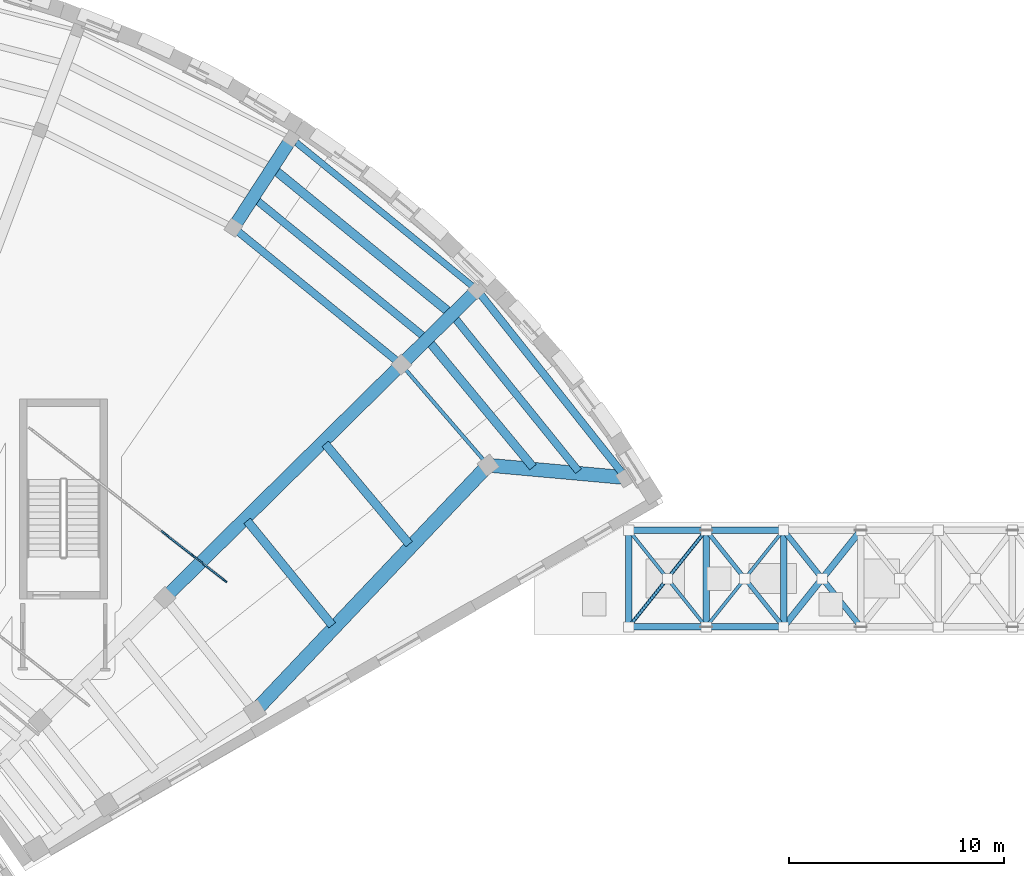
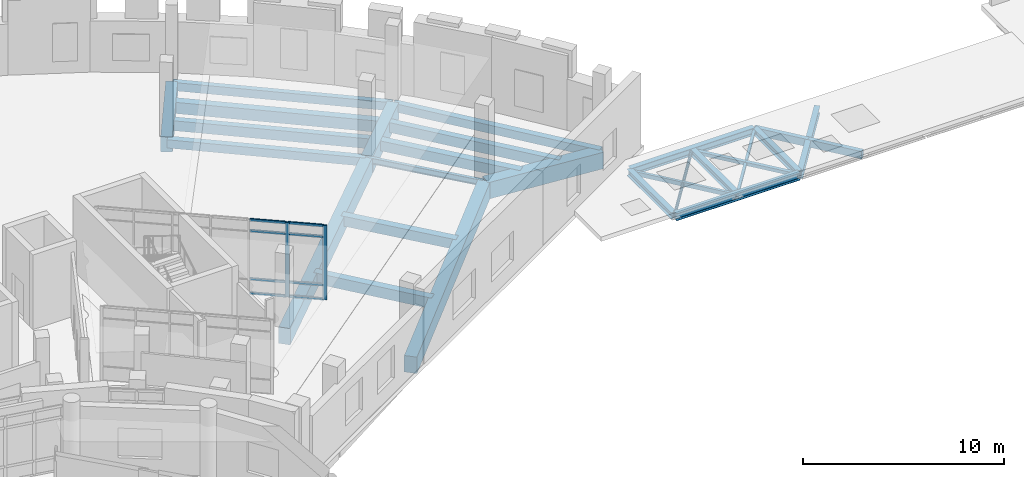
# One storey, part 20 of 49: 20 beams, 19 members, 1 element without a shape of its own.
"""IFC4 building model written with IfcOpenShell, lengths in metres."""

from ifc_helpers import new_model, si_unit, direction, frame, origin, origin_2d, place, context, subcontext, project, spatial, rectangle, hollow_rectangle, hollow_circle, i_section, extrude, material, material_profile, profile_set, type_object, element, aggregate, save


model = new_model("IFC4")

# Units and contexts
model_context = context("Model", 3, precision=1e-05, world=origin(), true_north=direction((0.0, 1.0)))
body_context = subcontext(model_context, "Body", "Model", "MODEL_VIEW")
ifc_project = project(units=[si_unit("LENGTHUNIT", "METRE"), si_unit("AREAUNIT", "SQUARE_METRE"), si_unit("VOLUMEUNIT", "CUBIC_METRE"), si_unit("PLANEANGLEUNIT", "RADIAN"), si_unit("MASSUNIT", "GRAM", prefix="KILO")], contexts=[model_context])

# Site, building, storey
site_placement = place(None, origin())
site = spatial("IfcSite", under=ifc_project, at=site_placement, CompositionType="ELEMENT")
building_placement = place(site_placement, origin())
building = spatial("IfcBuilding", under=site, at=building_placement, Name="Soyqirgoq Riverine Aquarium", CompositionType="ELEMENT")
storey_placement = place(building_placement, frame((0.0, 0.0, 15.0)))
storey = spatial("IfcBuildingStorey", under=building, at=storey_placement, Name="L04", CompositionType="ELEMENT", Elevation=15.0)

# Beams
ifc_material_1 = material(Name="Concrete C40/50", Category="concrete")
ifc_material_profile_1 = material_profile(ifc_material_1, rectangle(XDim=0.35009765625, YDim=0.60009765625, at=origin_2d()), Name="RC 350x600")
ifc_profile_set_1 = profile_set([ifc_material_profile_1], Name="Concrete C40/50")
beam_type_1 = type_object("IfcBeamType", Name="Beam_RC_350x600", PredefinedType="JOIST", material=ifc_profile_set_1)
beam_1_placement = place(storey_placement, frame((97.461181640625, 84.796142578125, -0.580078125), z_axis=(-0.628173876328, 0.778072992141, 0.0), x_axis=(-0.778072992141, -0.628173876328, 0.0)))
element("IfcBeam", 1, at=beam_1_placement, inside=storey, type_object=beam_type_1, Name="V5 L04 Secondary Floor Joist 0943", PredefinedType="JOIST", context=body_context, shape_type="SweptSolid", body=[
    extrude(rectangle(XDim=0.35009765625, YDim=0.60009765625, at=origin_2d()), origin(), (0.0, 0.0, 1.0), 9.2265625),
])
beam_2_placement = place(storey_placement, frame((90.305908203125, 91.025634765625, -0.580078125), z_axis=(-0.774940282325, 0.63203446016, 0.0), x_axis=(-0.63203446016, -0.774940282325, 0.0)))
element("IfcBeam", 2, at=beam_2_placement, inside=storey, type_object=beam_type_1, Name="V5 L04 Secondary Floor Joist 0944", PredefinedType="JOIST", context=body_context, shape_type="SweptSolid", body=[
    extrude(rectangle(XDim=0.35009765625, YDim=0.60009765625, at=origin_2d()), origin(), (0.0, 0.0, 1.0), 10.159912109375),
])
ifc_material_2 = material(Name="Concrete C40/50", Category="concrete")
ifc_material_profile_2 = material_profile(ifc_material_2, rectangle(XDim=0.39990234375, YDim=0.60009765625, at=origin_2d()), Name="RC 400x600")
ifc_profile_set_2 = profile_set([ifc_material_profile_2], Name="Concrete C40/50")
beam_type_2 = type_object("IfcBeamType", Name="Beam_RC_400x600", PredefinedType="JOIST", material=ifc_profile_set_2)
beam_3_placement = place(storey_placement, frame((89.584228515625, 81.40380859375, -0.580078125), z_axis=(-0.642269554069, 0.766478845055, 0.0), x_axis=(-0.766478845055, -0.642269554069, 0.0)))
element("IfcBeam", 3, at=beam_3_placement, inside=storey, type_object=beam_type_2, Name="V5 L04 Secondary Floor Joist 0937", PredefinedType="JOIST", context=body_context, shape_type="SweptSolid", body=[
    extrude(rectangle(XDim=0.39990234375, YDim=0.60009765625, at=origin_2d()), origin(), (0.0, 0.0, 1.0), 6.08544921875),
])
beam_4_placement = place(storey_placement, frame((95.345458984375, 84.98583984375, -0.580078125), z_axis=(-0.638020589805, 0.770019302995, 0.0), x_axis=(-0.770019302995, -0.638020589805, 0.0)))
element("IfcBeam", 4, at=beam_4_placement, inside=storey, type_object=beam_type_2, Name="V5 L04 Secondary Floor Joist 0942", PredefinedType="JOIST", context=body_context, shape_type="SweptSolid", body=[
    extrude(rectangle(XDim=0.39990234375, YDim=0.60009765625, at=origin_2d()), origin(), (0.0, 0.0, 1.0), 7.5888671875),
])
ifc_material_3 = material(Name="Concrete C40/50", Category="concrete")
ifc_material_profile_3 = material_profile(ifc_material_3, rectangle(XDim=0.39990234375, YDim=0.64990234375, at=origin_2d()), Name="RC 400x650")
ifc_profile_set_3 = profile_set([ifc_material_profile_3], Name="Concrete C40/50")
beam_type_3 = type_object("IfcBeamType", Name="Beam_RC_400x650", PredefinedType="BEAM", material=ifc_profile_set_3)
beam_5_placement = place(storey_placement, frame((86.00341796875, 77.626953125, -0.60498046875), z_axis=(-0.631614001709, 0.775283014676, 0.0), x_axis=(-0.775283014676, -0.631614001709, 0.0)))
element("IfcBeam", 5, at=beam_5_placement, inside=storey, type_object=beam_type_3, Name="V5 L04 Secondary Floor Joist 0936", PredefinedType="BEAM", context=body_context, shape_type="SweptSolid", body=[
    extrude(rectangle(XDim=0.39990234375, YDim=0.64990234375, at=origin_2d()), origin(), (0.0, 0.0, 1.0), 6.268798828125),
])
ifc_material_4 = material(Name="Concrete C40/50", Category="concrete")
ifc_material_profile_4 = material_profile(ifc_material_4, rectangle(XDim=0.419921875, YDim=0.679931640625, at=origin_2d()), Name="RC 420x680")
ifc_profile_set_4 = profile_set([ifc_material_profile_4], Name="Concrete C40/50")
beam_type_4 = type_object("IfcBeamType", Name="Beam_RC_420x680", PredefinedType="BEAM", material=ifc_profile_set_4)
beam_6_placement = place(storey_placement, frame((91.468994140625, 92.172607421875, -0.6201171875), z_axis=(-0.774945538771, 0.632028015153, 0.0), x_axis=(-0.632028015153, -0.774945538771, 0.0)))
element("IfcBeam", 6, at=beam_6_placement, inside=storey, type_object=beam_type_4, Name="V5 L04 Secondary Floor Joist 0945", PredefinedType="BEAM", context=body_context, shape_type="SweptSolid", body=[
    extrude(rectangle(XDim=0.419921875, YDim=0.679931640625, at=origin_2d()), origin(), (0.0, 0.0, 1.0), 10.5126953125),
])

# Members
ifc_material_5 = material(Name="Structural steel S355", Category="steel")
ifc_material_profile_5 = material_profile(ifc_material_5, hollow_circle(Radius=0.084228515625, WallThickness=0.008056640625, at=origin_2d()), Name="CHS 168.3x8")
ifc_profile_set_5 = profile_set([ifc_material_profile_5], Name="Structural steel S355")
member_type_1 = type_object("IfcMemberType", Name="Brace_CHS168", PredefinedType="BRACE", material=ifc_profile_set_5)
member_1_placement = place(storey_placement, frame((99.800048828125, 77.550048828125, -0.22998046875), z_axis=(0.624679547852, 0.780881208953, 0.0), x_axis=(-0.780881208953, 0.624679547852, 0.0)))
element("IfcMember", 7, at=member_1_placement, inside=storey, type_object=member_type_1, Name="BR-2 Roof Diaphragm Continuous X-Brace 0019", PredefinedType="BRACE", context=body_context, shape_type="SweptSolid", body=[
    extrude(hollow_circle(Radius=0.084228515625, WallThickness=0.008056640625, at=origin_2d()), origin(), (0.0, 0.0, 1.0), 5.7626953125),
])
ifc_material_6 = material(Name="Structural steel S355", Category="steel")
ifc_material_profile_6 = material_profile(ifc_material_6, hollow_rectangle(XDim=0.14990234375, YDim=0.25, WallThickness=0.010009765625, at=origin_2d()), Name="RHS 250x150x10")
ifc_profile_set_6 = profile_set([ifc_material_profile_6], Name="Structural steel S355")
member_type_2 = type_object("IfcMemberType", Name="Brace_RHS250x150", PredefinedType="BRACE", material=ifc_profile_set_6)
for number, where, z_axis, x_axis, name in (
    (8, (99.800048828125, 82.050048828125, -0.22998046875), (0.624705380279, -0.780860543151, 0.0), (0.780860543151, 0.624705380279, 0.0), "BR-2 Roof Diaphragm Split X-Brace 0020"),
    (9, (101.60009765625, 79.800048828125, -0.22998046875), (0.624653713374, -0.780901874994, 0.0), (0.780901874994, 0.624653713374, 0.0), "BR-2 Roof Diaphragm Split X-Brace 0021"),
):
    element("IfcMember", number, at=place(storey_placement, frame(where, z_axis=z_axis, x_axis=x_axis)), inside=storey, type_object=member_type_2, Name=name, PredefinedType="BRACE", context=body_context, shape_type="SweptSolid", body=[
        extrude(hollow_rectangle(XDim=0.14990234375, YDim=0.25, WallThickness=0.010009765625, at=origin_2d()), origin(), (0.0, 0.0, 1.0), 2.88134765625),
    ])
ifc_material_7 = material(Name="Structural steel S355", Category="steel")
ifc_material_profile_7 = material_profile(ifc_material_7, hollow_rectangle(XDim=0.14990234375, YDim=0.14990234375, WallThickness=0.010009765625, at=origin_2d()), Name="SHS 150x150x10")
ifc_profile_set_7 = profile_set([ifc_material_profile_7], Name="Structural steel S355")
member_type_3 = type_object("IfcMemberType", Name="Brace_SHS150", PredefinedType="BRACE", material=ifc_profile_set_7)
member_2_placement = place(storey_placement, frame((103.39990234375, 77.550048828125, -0.22998046875), z_axis=(0.624705380279, 0.780860543151, 0.0), x_axis=(-0.780860543151, 0.624705380279, 0.0)))
element("IfcMember", 10, at=member_2_placement, inside=storey, type_object=member_type_3, Name="BR-2 Roof Diaphragm Continuous X-Brace 0022", PredefinedType="BRACE", context=body_context, shape_type="SweptSolid", body=[
    extrude(hollow_rectangle(XDim=0.14990234375, YDim=0.14990234375, WallThickness=0.010009765625, at=origin_2d()), origin(), (0.0, 0.0, 1.0), 5.762939453125),
])
ifc_material_8 = material(Name="Structural steel S355", Category="steel")
ifc_material_profile_8 = material_profile(ifc_material_8, i_section(OverallWidth=0.300048828125, OverallDepth=0.449951171875, WebThickness=0.013916015625, FlangeThickness=0.02587890625, FilletRadius=0.027099609375, at=origin_2d()), Name="HEB 450")
ifc_profile_set_8 = profile_set([ifc_material_profile_8], Name="Structural steel S355")
member_type_4 = type_object("IfcMemberType", Name="BridgeChord_HEB450", PredefinedType="CHORD", material=ifc_profile_set_8)
member_3_placement = place(storey_placement, frame((107.0, 77.550048828125, -0.22998046875), z_axis=(0.624705380279, 0.780860543151, 0.0), x_axis=(-0.780860543151, 0.624705380279, 0.0)))
element("IfcMember", 11, at=member_3_placement, inside=storey, type_object=member_type_4, Name="BR-2 Roof Diaphragm Continuous X-Brace 0025", PredefinedType="CHORD", context=body_context, shape_type="SweptSolid", body=[
    extrude(i_section(OverallWidth=0.300048828125, OverallDepth=0.449951171875, WebThickness=0.013916015625, FlangeThickness=0.02587890625, FilletRadius=0.027099609375, at=origin_2d()), origin(), (0.0, 0.0, 1.0), 5.762939453125),
])

# Curtain wall, members
ifc_material_9 = material(Name="Cast polymethyl methacrylate PMMA Habitat Viewing Glazing", Category="glass")
curtain_wall_type = type_object("IfcCurtainWallType", Name="CW_Interior_TankVitrine", PredefinedType="NOTDEFINED", material=ifc_material_9)
curtain_wall_placement = place(storey_placement, origin())
curtain_wall = element("IfcCurtainWall", 12, at=curtain_wall_placement, inside=storey, type_object=curtain_wall_type, Name="V5 L04 Curtain Wall 164", PredefinedType="NOTDEFINED")
ifc_material_10 = material(Name="Anodised aluminium 6063-T6", Category="aluminium")
ifc_material_profile_9 = material_profile(ifc_material_10, rectangle(XDim=0.080078125, YDim=0.219970703125, at=origin_2d()), Name="ALU-M 80x220")
ifc_profile_set_9 = profile_set([ifc_material_profile_9], Name="Anodised aluminium 6063-T6")
member_type_5 = type_object("IfcMemberType", Name="CWMullion_80x220", PredefinedType="MULLION", material=ifc_profile_set_9)
member_4_placement = place(storey_placement, frame((81.008056640625, 79.702880859375, 0.0), z_axis=(0.0, 0.0, 1.0), x_axis=(-0.615655141832, -0.788015701833, 0.0)))
member_4 = element("IfcMember", 13, at=member_4_placement, type_object=member_type_5, Name="CW-07 mullion 1", PredefinedType="MULLION", context=body_context, shape_type="SweptSolid", body=[
    extrude(rectangle(XDim=0.080078125, YDim=0.219970703125, at=origin_2d()), origin(), (0.0, 0.0, 1.0), 4.52001953125),
])
member_5_placement = place(storey_placement, frame((79.524169921875, 80.862060546875, 0.0), z_axis=(0.0, 0.0, 1.0), x_axis=(-0.615655141832, -0.788015701833, 0.0)))
member_5 = element("IfcMember", 14, at=member_5_placement, type_object=member_type_5, Name="CW-07 mullion 2", PredefinedType="MULLION", context=body_context, shape_type="SweptSolid", body=[
    extrude(rectangle(XDim=0.080078125, YDim=0.219970703125, at=origin_2d()), origin(), (0.0, 0.0, 1.0), 4.52001953125),
])
ifc_material_11 = material(Name="Anodised aluminium 6063-T6", Category="aluminium")
ifc_material_profile_10 = material_profile(ifc_material_11, rectangle(XDim=0.074951171875, YDim=0.14990234375, at=origin_2d()), Name="ALU-T 75x150")
ifc_profile_set_10 = profile_set([ifc_material_profile_10], Name="Anodised aluminium 6063-T6")
member_type_6 = type_object("IfcMemberType", Name="CWTransom_75x150", PredefinedType="USERDEFINED", material=ifc_profile_set_10)
member_6_placement = place(storey_placement, frame((80.9765625, 79.7275390625, 0.03759765625), z_axis=(-0.788016162741, 0.615654551887, 0.0), x_axis=(-0.615654551887, -0.788016162741, 0.0)))
member_6 = element("IfcMember", 15, at=member_6_placement, type_object=member_type_6, Name="CW-07 transom 1.1", ObjectType="TRANSOM", PredefinedType="USERDEFINED", context=body_context, shape_type="SweptSolid", body=[
    extrude(rectangle(XDim=0.074951171875, YDim=0.14990234375, at=origin_2d()), origin(), (0.0, 0.0, 1.0), 1.80322265625),
])
member_7_placement = place(storey_placement, frame((80.9765625, 79.7275390625, 0.89990234375), z_axis=(-0.788016162741, 0.615654551887, 0.0), x_axis=(-0.615654551887, -0.788016162741, 0.0)))
member_7 = element("IfcMember", 16, at=member_7_placement, type_object=member_type_6, Name="CW-07 transom 1.2", ObjectType="TRANSOM", PredefinedType="USERDEFINED", context=body_context, shape_type="SweptSolid", body=[
    extrude(rectangle(XDim=0.074951171875, YDim=0.14990234375, at=origin_2d()), origin(), (0.0, 0.0, 1.0), 1.80322265625),
])
member_8_placement = place(storey_placement, frame((80.9765625, 79.7275390625, 3.820068359375), z_axis=(-0.788016162741, 0.615654551887, 0.0), x_axis=(-0.615654551887, -0.788016162741, 0.0)))
member_8 = element("IfcMember", 17, at=member_8_placement, type_object=member_type_6, Name="CW-07 transom 1.3", ObjectType="TRANSOM", PredefinedType="USERDEFINED", context=body_context, shape_type="SweptSolid", body=[
    extrude(rectangle(XDim=0.074951171875, YDim=0.14990234375, at=origin_2d()), origin(), (0.0, 0.0, 1.0), 1.80322265625),
])
member_9_placement = place(storey_placement, frame((80.9765625, 79.7275390625, 4.482421875), z_axis=(-0.788016162741, 0.615654551887, 0.0), x_axis=(-0.615654551887, -0.788016162741, 0.0)))
member_9 = element("IfcMember", 18, at=member_9_placement, type_object=member_type_6, Name="CW-07 transom 1.4", ObjectType="TRANSOM", PredefinedType="USERDEFINED", context=body_context, shape_type="SweptSolid", body=[
    extrude(rectangle(XDim=0.074951171875, YDim=0.14990234375, at=origin_2d()), origin(), (0.0, 0.0, 1.0), 1.80322265625),
])
member_10_placement = place(storey_placement, frame((79.492431640625, 80.88671875, 0.03759765625), z_axis=(-0.788002283226, 0.615672316765, 0.0), x_axis=(-0.615672316765, -0.788002283226, 0.0)))
member_10 = element("IfcMember", 19, at=member_10_placement, type_object=member_type_6, Name="CW-07 transom 2.1", ObjectType="TRANSOM", PredefinedType="USERDEFINED", context=body_context, shape_type="SweptSolid", body=[
    extrude(rectangle(XDim=0.074951171875, YDim=0.14990234375, at=origin_2d()), origin(), (0.0, 0.0, 1.0), 1.843017578125),
])
member_11_placement = place(storey_placement, frame((79.492431640625, 80.88671875, 0.89990234375), z_axis=(-0.788002283226, 0.615672316765, 0.0), x_axis=(-0.615672316765, -0.788002283226, 0.0)))
member_11 = element("IfcMember", 20, at=member_11_placement, type_object=member_type_6, Name="CW-07 transom 2.2", ObjectType="TRANSOM", PredefinedType="USERDEFINED", context=body_context, shape_type="SweptSolid", body=[
    extrude(rectangle(XDim=0.074951171875, YDim=0.14990234375, at=origin_2d()), origin(), (0.0, 0.0, 1.0), 1.843017578125),
])
member_12_placement = place(storey_placement, frame((79.492431640625, 80.88671875, 3.820068359375), z_axis=(-0.788002283226, 0.615672316765, 0.0), x_axis=(-0.615672316765, -0.788002283226, 0.0)))
member_12 = element("IfcMember", 21, at=member_12_placement, type_object=member_type_6, Name="CW-07 transom 2.3", ObjectType="TRANSOM", PredefinedType="USERDEFINED", context=body_context, shape_type="SweptSolid", body=[
    extrude(rectangle(XDim=0.074951171875, YDim=0.14990234375, at=origin_2d()), origin(), (0.0, 0.0, 1.0), 1.843017578125),
])
member_13_placement = place(storey_placement, frame((79.492431640625, 80.88671875, 4.482421875), z_axis=(-0.788002283226, 0.615672316765, 0.0), x_axis=(-0.615672316765, -0.788002283226, 0.0)))
member_13 = element("IfcMember", 22, at=member_13_placement, type_object=member_type_6, Name="CW-07 transom 2.4", ObjectType="TRANSOM", PredefinedType="USERDEFINED", context=body_context, shape_type="SweptSolid", body=[
    extrude(rectangle(XDim=0.074951171875, YDim=0.14990234375, at=origin_2d()), origin(), (0.0, 0.0, 1.0), 1.843017578125),
])
aggregate(curtain_wall, [member_4, member_5, member_6, member_7, member_8, member_9, member_10, member_11, member_12, member_13])

# Beams
ifc_material_12 = material(Name="Concrete C40/50", Category="concrete")
ifc_material_profile_11 = material_profile(ifc_material_12, rectangle(XDim=0.60009765625, YDim=1.0, at=origin_2d()), Name="RC 600x1000")
ifc_profile_set_11 = profile_set([ifc_material_profile_11], Name="Concrete C40/50")
beam_type_5 = type_object("IfcBeamType", Name="Girder_RC_600x1000", PredefinedType="BEAM", material=ifc_profile_set_11)
beam_7_placement = place(storey_placement, frame((78.250732421875, 78.9423828125, -0.780029296875), z_axis=(0.712035941115, 0.702143018595, 0.0), x_axis=(-0.702143018595, 0.712035941115, 0.0)))
element("IfcBeam", 23, at=beam_7_placement, inside=storey, type_object=beam_type_5, Name="V5 L04 Wedge Radial Girder 0908", PredefinedType="BEAM", context=body_context, shape_type="SweptSolid", body=[
    extrude(rectangle(XDim=0.60009765625, YDim=1.0, at=origin_2d()), origin(), (0.0, 0.0, 1.0), 15.349853515625),
])
beam_8_placement = place(storey_placement, frame((89.251708984375, 89.79052734375, -0.780029296875), z_axis=(0.711997820569, 0.702181674145, 0.0), x_axis=(-0.702181674145, 0.711997820569, 0.0)))
element("IfcBeam", 24, at=beam_8_placement, inside=storey, type_object=beam_type_5, Name="V5 L04 Wedge Radial Girder 0909", PredefinedType="BEAM", context=body_context, shape_type="SweptSolid", body=[
    extrude(rectangle(XDim=0.60009765625, YDim=1.0, at=origin_2d()), origin(), (0.0, 0.0, 1.0), 4.849853515625),
])
ifc_material_13 = material(Name="Concrete C40/50", Category="concrete")
ifc_material_profile_12 = material_profile(ifc_material_13, rectangle(XDim=0.60009765625, YDim=0.89990234375, at=origin_2d()), Name="RC 600x900")
ifc_profile_set_12 = profile_set([ifc_material_profile_12], Name="Concrete C40/50")
beam_type_6 = type_object("IfcBeamType", Name="Girder_RC_600x900", PredefinedType="BEAM", material=ifc_profile_set_12)
beam_9_placement = place(storey_placement, frame((81.4345703125, 96.166015625, -0.72998046875), z_axis=(0.544669820921, 0.838650574541, 0.0), x_axis=(-0.838650574541, 0.544669820921, 0.0)))
element("IfcBeam", 25, at=beam_9_placement, inside=storey, type_object=beam_type_6, Name="V5 L04 Wedge Radial Girder 0911", PredefinedType="BEAM", context=body_context, shape_type="SweptSolid", body=[
    extrude(rectangle(XDim=0.60009765625, YDim=0.89990234375, at=origin_2d()), origin(), (0.0, 0.0, 1.0), 4.849853515625),
])
ifc_material_14 = material(Name="Concrete C40/50", Category="concrete")
ifc_material_profile_13 = material_profile(ifc_material_14, rectangle(XDim=0.64990234375, YDim=1.0, at=origin_2d()), Name="RC 650x1000")
ifc_profile_set_13 = profile_set([ifc_material_profile_13], Name="Concrete C40/50")
beam_type_7 = type_object("IfcBeamType", Name="Girder_RC_650x1000", PredefinedType="BEAM", material=ifc_profile_set_13)
beam_10_placement = place(storey_placement, frame((82.435546875, 73.662109375, -0.780029296875), z_axis=(0.688043937809, 0.725669028996, 0.0), x_axis=(-0.725669028996, 0.688043937809, 0.0)))
element("IfcBeam", 26, at=beam_10_placement, inside=storey, type_object=beam_type_7, Name="V5 L04 Wedge Radial Girder 0904", PredefinedType="BEAM", context=body_context, shape_type="SweptSolid", body=[
    extrude(rectangle(XDim=0.64990234375, YDim=1.0, at=origin_2d()), origin(), (0.0, 0.0, 1.0), 15.6767578125),
])
beam_11_placement = place(storey_placement, frame((93.30615234375, 85.0703125, -0.780029296875), z_axis=(0.99595114055, -0.089896193674, 0.0), x_axis=(0.089896193674, 0.99595114055, 0.0)))
element("IfcBeam", 27, at=beam_11_placement, inside=storey, type_object=beam_type_7, Name="V5 L04 Wedge Radial Girder 0905", PredefinedType="BEAM", context=body_context, shape_type="SweptSolid", body=[
    extrude(rectangle(XDim=0.64990234375, YDim=1.0, at=origin_2d()), origin(), (0.0, 0.0, 1.0), 6.333251953125),
])

# Members
ifc_material_15 = material(Name="Structural steel S355", Category="steel")
ifc_material_profile_14 = material_profile(ifc_material_15, hollow_rectangle(XDim=0.25, YDim=0.449951171875, WallThickness=0.01611328125, at=origin_2d()), Name="RHS 450x250x16")
ifc_profile_set_14 = profile_set([ifc_material_profile_14], Name="Structural steel S355")
member_type_7 = type_object("IfcMemberType", Name="RingChord_RHS450x250", PredefinedType="CHORD", material=ifc_profile_set_14)
for number, where, z_axis, x_axis, name in (
    (28, (107.0, 82.050048828125, -0.22998046875), (0.624705380279, -0.780860543151, 0.0), (0.780860543151, 0.624705380279, 0.0), "BR-2 Roof Diaphragm Split X-Brace 0026"),
    (29, (108.800048828125, 79.800048828125, -0.22998046875), (0.624705380279, -0.780860543151, 0.0), (0.780860543151, 0.624705380279, 0.0), "BR-2 Roof Diaphragm Split X-Brace 0027"),
):
    element("IfcMember", number, at=place(storey_placement, frame(where, z_axis=z_axis, x_axis=x_axis)), inside=storey, type_object=member_type_7, Name=name, PredefinedType="CHORD", context=body_context, shape_type="SweptSolid", body=[
        extrude(hollow_rectangle(XDim=0.25, YDim=0.449951171875, WallThickness=0.01611328125, at=origin_2d()), origin(), (0.0, 0.0, 1.0), 2.88134765625),
    ])

# Beams
ifc_material_16 = material(Name="Concrete C40/50", Category="concrete")
ifc_material_profile_15 = material_profile(ifc_material_16, rectangle(XDim=0.300048828125, YDim=0.5, at=origin_2d()), Name="RC 300x500")
ifc_profile_set_15 = profile_set([ifc_material_profile_15], Name="Concrete C40/50")
beam_type_8 = type_object("IfcBeamType", Name="Spandrel_RC_300x500", PredefinedType="SPANDREL", material=ifc_profile_set_15)
beam_12_placement = place(storey_placement, frame((92.701904296875, 93.2626953125, -0.530029296875), z_axis=(-0.774945071602, 0.63202858796, 0.0), x_axis=(-0.63202858796, -0.774945071602, 0.0)))
element("IfcBeam", 30, at=beam_12_placement, inside=storey, type_object=beam_type_8, Name="V5 L04 Wedge Chord Beam 0951", PredefinedType="SPANDREL", context=body_context, shape_type="SweptSolid", body=[
    extrude(rectangle(XDim=0.300048828125, YDim=0.5, at=origin_2d()), origin(), (0.0, 0.0, 1.0), 11.045654296875),
])
ifc_material_17 = material(Name="Concrete C40/50", Category="concrete")
ifc_material_profile_16 = material_profile(ifc_material_17, rectangle(XDim=0.35009765625, YDim=0.5, at=origin_2d()), Name="RC 350x500")
ifc_profile_set_16 = profile_set([ifc_material_profile_16], Name="Concrete C40/50")
beam_type_9 = type_object("IfcBeamType", Name="Spandrel_RC_350x500", PredefinedType="SPANDREL", material=ifc_profile_set_16)
beam_13_placement = place(storey_placement, frame((89.17724609375, 89.787109375, -0.530029296875), z_axis=(-0.774956174889, 0.632014973716, 0.0), x_axis=(-0.632014973716, -0.774956174889, 0.0)))
element("IfcBeam", 31, at=beam_13_placement, inside=storey, type_object=beam_type_9, Name="V5 L04 Wedge Chord Beam 0939", PredefinedType="SPANDREL", context=body_context, shape_type="SweptSolid", body=[
    extrude(rectangle(XDim=0.35009765625, YDim=0.5, at=origin_2d()), origin(), (0.0, 0.0, 1.0), 9.976318359375),
])
beam_14_placement = place(storey_placement, frame((99.632568359375, 84.53564453125, -0.530029296875), z_axis=(-0.621160278582, 0.78368355113, 0.0), x_axis=(-0.78368355113, -0.621160278582, 0.0)))
element("IfcBeam", 32, at=beam_14_placement, inside=storey, type_object=beam_type_9, Name="V5 L04 Wedge Chord Beam 0950", PredefinedType="SPANDREL", context=body_context, shape_type="SweptSolid", body=[
    extrude(rectangle(XDim=0.35009765625, YDim=0.5, at=origin_2d()), origin(), (0.0, 0.0, 1.0), 11.045654296875),
])
ifc_material_18 = material(Name="Structural steel S355", Category="steel")
ifc_material_profile_17 = material_profile(ifc_material_18, i_section(OverallWidth=0.169921875, OverallDepth=0.360107421875, WebThickness=0.008056640625, FlangeThickness=0.0126953125, FilletRadius=0.01806640625, at=origin_2d()), Name="IPE 360")
ifc_profile_set_17 = profile_set([ifc_material_profile_17], Name="Structural steel S355")
beam_type_10 = type_object("IfcBeamType", Name="Spandrel_Steel_IPE360", PredefinedType="SPANDREL", material=ifc_profile_set_17)
beam_15_placement = place(storey_placement, frame((93.2236328125, 85.112548828125, -0.4599609375), z_axis=(-0.653415046346, 0.756999852846, 0.0), x_axis=(-0.756999852846, -0.653415046346, 0.0)))
element("IfcBeam", 33, at=beam_15_placement, inside=storey, type_object=beam_type_10, Name="V5 L04 Wedge Chord Beam 0938", PredefinedType="SPANDREL", context=body_context, shape_type="SweptSolid", body=[
    extrude(i_section(OverallWidth=0.169921875, OverallDepth=0.360107421875, WebThickness=0.008056640625, FlangeThickness=0.0126953125, FilletRadius=0.01806640625, at=origin_2d()), origin(), (0.0, 0.0, 1.0), 6.083251953125),
])
ifc_material_19 = material(Name="Structural steel S355", Category="steel")
ifc_material_profile_18 = material_profile(ifc_material_19, i_section(OverallWidth=0.300048828125, OverallDepth=0.389892578125, WebThickness=0.010986328125, FlangeThickness=0.01904296875, FilletRadius=0.027099609375, at=origin_2d()), Name="HEA 400")
ifc_profile_set_18 = profile_set([ifc_material_profile_18], Name="Structural steel S355")
beam_type_11 = type_object("IfcBeamType", Name="SteelBeam_HEA400", PredefinedType="BEAM", material=ifc_profile_set_18)
for number, where, z_axis, x_axis, name in (
    (34, (103.39990234375, 77.60009765625, -0.195068359375), (0.0, 1.0, 0.0), (-1.0, 0.0, 0.0), "BR-2 L04 Bridge Mid-Bay Roof Tie 1462"),
    (35, (99.800048828125, 77.60009765625, -0.195068359375), (0.0, 1.0, 0.0), (-1.0, 0.0, 0.0), "BR-2 L04 Bridge Roof Cross Beam 1466"),
    (36, (107.0, 77.60009765625, -0.195068359375), (0.0, 1.0, 0.0), (-1.0, 0.0, 0.0), "BR-2 L04 Bridge Roof Cross Beam 1468"),
):
    element("IfcBeam", number, at=place(storey_placement, frame(where, z_axis=z_axis, x_axis=x_axis)), inside=storey, type_object=beam_type_11, Name=name, PredefinedType="BEAM", context=body_context, shape_type="SweptSolid", body=[
        extrude(i_section(OverallWidth=0.300048828125, OverallDepth=0.389892578125, WebThickness=0.010986328125, FlangeThickness=0.01904296875, FilletRadius=0.027099609375, at=origin_2d()), origin(), (0.0, 0.0, 1.0), 4.39990234375),
    ])
ifc_material_20 = material(Name="Structural steel S355", Category="steel")
ifc_material_profile_19 = material_profile(ifc_material_20, i_section(OverallWidth=0.300048828125, OverallDepth=0.43994140625, WebThickness=0.011474609375, FlangeThickness=0.02099609375, FilletRadius=0.027099609375, at=origin_2d()), Name="HEA 450")
ifc_profile_set_19 = profile_set([ifc_material_profile_19], Name="Structural steel S355")
beam_type_12 = type_object("IfcBeamType", Name="SteelBeam_HEA450", PredefinedType="BEAM", material=ifc_profile_set_19)
for number, where, z_axis, x_axis, name in (
    (37, (99.85009765625, 77.550048828125, -0.219970703125), (1.0, 0.0, 0.0), (0.0, 1.0, 0.0), "BR-2 L04 Bridge Roof Chord Beam 1451"),
    (38, (99.85009765625, 82.050048828125, -0.219970703125), (1.0, 0.0, 0.0), (0.0, 1.0, 0.0), "BR-2 L04 Bridge Roof Chord Beam 1457"),
):
    element("IfcBeam", number, at=place(storey_placement, frame(where, z_axis=z_axis, x_axis=x_axis)), inside=storey, type_object=beam_type_12, Name=name, PredefinedType="BEAM", context=body_context, shape_type="SweptSolid", body=[
        extrude(i_section(OverallWidth=0.300048828125, OverallDepth=0.43994140625, WebThickness=0.011474609375, FlangeThickness=0.02099609375, FilletRadius=0.027099609375, at=origin_2d()), origin(), (0.0, 0.0, 1.0), 7.099853515625),
    ])

# Members
ifc_material_21 = material(Name="Structural steel S355", Category="steel")
ifc_material_profile_20 = material_profile(ifc_material_21, hollow_rectangle(XDim=0.199951171875, YDim=0.199951171875, WallThickness=0.011962890625, at=origin_2d()), Name="SHS 200x200x12")
ifc_profile_set_20 = profile_set([ifc_material_profile_20], Name="Structural steel S355")
member_type_8 = type_object("IfcMemberType", Name="Strut_SHS200", PredefinedType="STRUT", material=ifc_profile_set_20)
for number, where, z_axis, x_axis, name in (
    (39, (103.39990234375, 82.050048828125, -0.22998046875), (0.624705380279, -0.780860543151, 0.0), (0.780860543151, 0.624705380279, 0.0), "BR-2 Roof Diaphragm Split X-Brace 0023"),
    (40, (105.199951171875, 79.800048828125, -0.22998046875), (0.624705380279, -0.780860543151, 0.0), (0.780860543151, 0.624705380279, 0.0), "BR-2 Roof Diaphragm Split X-Brace 0024"),
):
    element("IfcMember", number, at=place(storey_placement, frame(where, z_axis=z_axis, x_axis=x_axis)), inside=storey, type_object=member_type_8, Name=name, PredefinedType="STRUT", context=body_context, shape_type="SweptSolid", body=[
        extrude(hollow_rectangle(XDim=0.199951171875, YDim=0.199951171875, WallThickness=0.011962890625, at=origin_2d()), origin(), (0.0, 0.0, 1.0), 2.88134765625),
    ])

save(model, "model.ifc")
